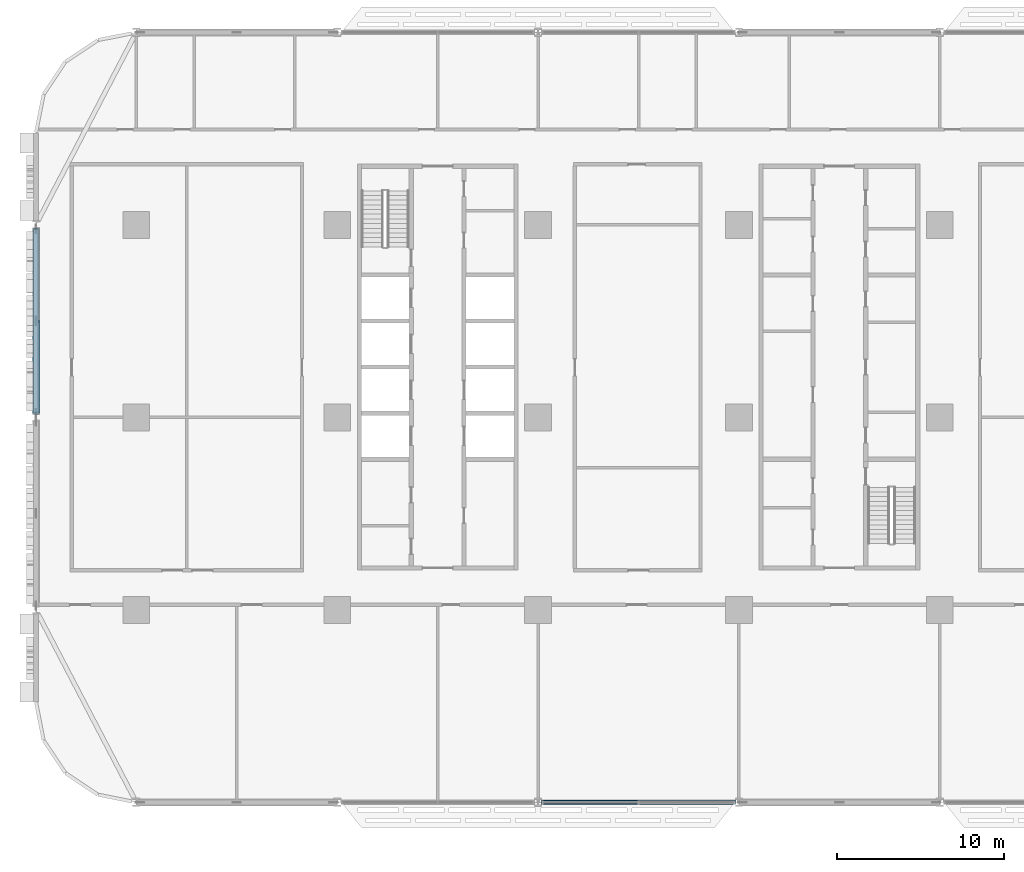
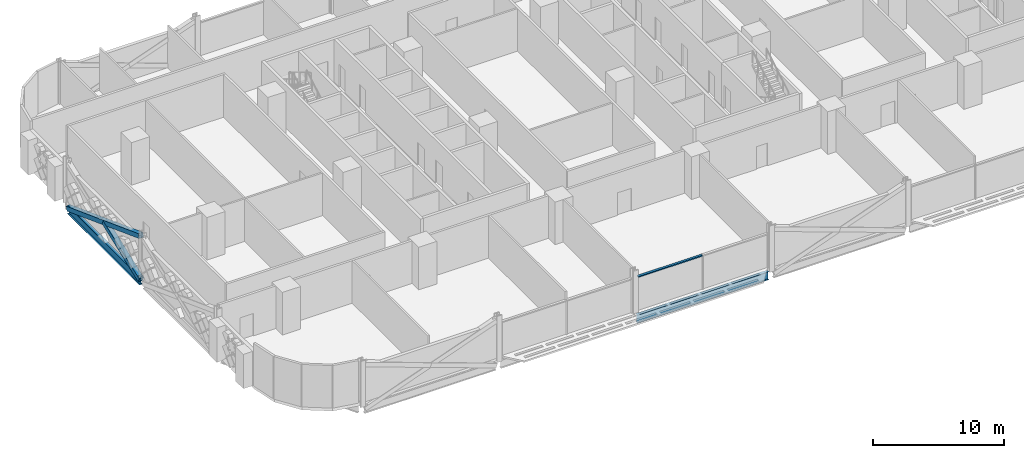
# One storey, part 3 of 28: 3 members, 2 beams, 1 element without a shape of its own.
"""IFC4 building model written with IfcOpenShell, lengths in metres."""

from ifc_helpers import new_model, si_unit, direction, frame, origin, origin_2d, place, context, subcontext, project, spatial, rectangle, hollow_rectangle, i_section, extrude, material, material_profile, profile_set, type_object, element, aggregate, save


model = new_model("IFC4")

# Units and contexts
model_context = context("Model", 3, precision=1e-05, world=origin(), true_north=direction((0.0, 1.0)))
body_context = subcontext(model_context, "Body", "Model", "MODEL_VIEW")
ifc_project = project(units=[si_unit("LENGTHUNIT", "METRE"), si_unit("AREAUNIT", "SQUARE_METRE"), si_unit("VOLUMEUNIT", "CUBIC_METRE"), si_unit("PLANEANGLEUNIT", "RADIAN"), si_unit("MASSUNIT", "GRAM", prefix="KILO")], contexts=[model_context])

# Site, building, storey
site_placement = place(None, origin())
site = spatial("IfcSite", under=ifc_project, at=site_placement, CompositionType="ELEMENT")
building_placement = place(site_placement, origin())
building = spatial("IfcBuilding", under=site, at=building_placement, Name="Mahtab Terrace Research Tower", CompositionType="ELEMENT")
storey_placement = place(building_placement, frame((0.0, 0.0, 33.0)))
storey = spatial("IfcBuildingStorey", under=building, at=storey_placement, Name="L07", CompositionType="ELEMENT", Elevation=33.0)

# Members
ifc_material_1 = material(Name="Steel ASTM A500 Gr C", Category="steel")
ifc_material_profile_1 = material_profile(ifc_material_1, hollow_rectangle(XDim=0.406494140625, YDim=0.406494140625, WallThickness=0.01904296875, at=origin_2d()), Name="HSS16X16X3/4")
ifc_profile_set_1 = profile_set([ifc_material_profile_1], Name="Steel ASTM A500 Gr C")
member_type_1 = type_object("IfcMemberType", Name="HSS 16x16x3/4 brace XB161634", PredefinedType="BRACE", material=ifc_profile_set_1)
member_1_placement = place(storey_placement, frame((-48.0, 11.251220703125, -0.62548828125), z_axis=(0.0, -0.936661873217, 0.350234971499), x_axis=(1.0, 0.0, 0.0)))
element("IfcMember", 1, at=member_1_placement, inside=storey, type_object=member_type_1, Name="Exoskeleton brace L07 09 a", PredefinedType="BRACE", context=body_context, shape_type="SweptSolid", body=[
    extrude(hollow_rectangle(XDim=0.406494140625, YDim=0.406494140625, WallThickness=0.01904296875, at=origin_2d()), origin(), (0.0, 0.0, 1.0), 11.746337890625),
])
member_2_placement = place(storey_placement, frame((-48.0, 0.248779296875, -0.62548828125), z_axis=(0.0, 0.936655054788, 0.350253206038), x_axis=(-1.0, 0.0, 0.0)))
element("IfcMember", 2, at=member_2_placement, inside=storey, type_object=member_type_1, Name="Exoskeleton brace L07 09 b1", PredefinedType="BRACE", context=body_context, shape_type="SweptSolid", body=[
    extrude(hollow_rectangle(XDim=0.406494140625, YDim=0.406494140625, WallThickness=0.01904296875, at=origin_2d()), origin(), (0.0, 0.0, 1.0), 5.873291015625),
])

# Curtain wall, member
ifc_material_2 = material(Name="Laboratory ribbon curtain wall")
curtain_wall_type = type_object("IfcCurtainWallType", Name="Laboratory ribbon curtain wall", PredefinedType="NOTDEFINED", material=ifc_material_2)
curtain_wall_placement = place(storey_placement, origin())
curtain_wall = element("IfcCurtainWall", 3, at=curtain_wall_placement, inside=storey, type_object=curtain_wall_type, Name="EN.L07.13.24", PredefinedType="NOTDEFINED")
ifc_material_3 = material(Name="Natural anodised aluminium", Category="aluminium")
ifc_material_profile_2 = material_profile(ifc_material_3, rectangle(XDim=0.199951171875, YDim=0.10009765625, at=origin_2d()), Name="TRANSOM 100x200")
ifc_profile_set_2 = profile_set([ifc_material_profile_2], Name="Natural anodised aluminium")
member_type_2 = type_object("IfcMemberType", Name="Laboratory ribbon curtain wall transom", PredefinedType="USERDEFINED", material=ifc_profile_set_2)
member_3_placement = place(storey_placement, frame((-17.68603515625, -23.0, 3.153076171875), z_axis=(1.0, 0.0, 0.0), x_axis=(0.0, 1.0, 0.0)))
member_3 = element("IfcMember", 4, at=member_3_placement, type_object=member_type_2, Name="CWL-1 transom 1", ObjectType="TRANSOM", PredefinedType="USERDEFINED", context=body_context, shape_type="SweptSolid", body=[
    extrude(rectangle(XDim=0.199951171875, YDim=0.10009765625, at=origin_2d()), origin(), (0.0, 0.0, 1.0), 5.653564453125),
])
aggregate(curtain_wall, [member_3])

# Beams
ifc_material_4 = material(Name="Steel ASTM A992 Gr 50", Category="steel")
ifc_material_profile_3 = material_profile(ifc_material_4, i_section(OverallWidth=0.2666015625, OverallDepth=0.7568359375, WebThickness=0.013916015625, FlangeThickness=0.019287109375, at=origin_2d()), Name="W30X108")
ifc_profile_set_3 = profile_set([ifc_material_profile_3], Name="Steel ASTM A992 Gr 50")
beam_type = type_object("IfcBeamType", Name="W30x108 beam BS30108", PredefinedType="BEAM", material=ifc_profile_set_3)
beam_1_placement = place(storey_placement, frame((-48.0, 11.251220703125, -0.718505859375), z_axis=(0.0, -1.0, 0.0), x_axis=(1.0, 0.0, 0.0)))
element("IfcBeam", 5, at=beam_1_placement, inside=storey, type_object=beam_type, Name="Spandrel beam L07 09", PredefinedType="BEAM", context=body_context, shape_type="SweptSolid", body=[
    extrude(i_section(OverallWidth=0.2666015625, OverallDepth=0.7568359375, WebThickness=0.013916015625, FlangeThickness=0.019287109375, at=origin_2d()), origin(), (0.0, 0.0, 1.0), 11.00244140625),
])
beam_2_placement = place(storey_placement, frame((-17.7841796875, -23.0, -0.718505859375), z_axis=(1.0, 0.0, 0.0), x_axis=(0.0, 1.0, 0.0)))
element("IfcBeam", 6, at=beam_2_placement, inside=storey, type_object=beam_type, Name="Spandrel beam L07 14", PredefinedType="BEAM", context=body_context, shape_type="SweptSolid", body=[
    extrude(i_section(OverallWidth=0.2666015625, OverallDepth=0.7568359375, WebThickness=0.013916015625, FlangeThickness=0.019287109375, at=origin_2d()), origin(), (0.0, 0.0, 1.0), 11.568359375),
])

save(model, "model.ifc")
